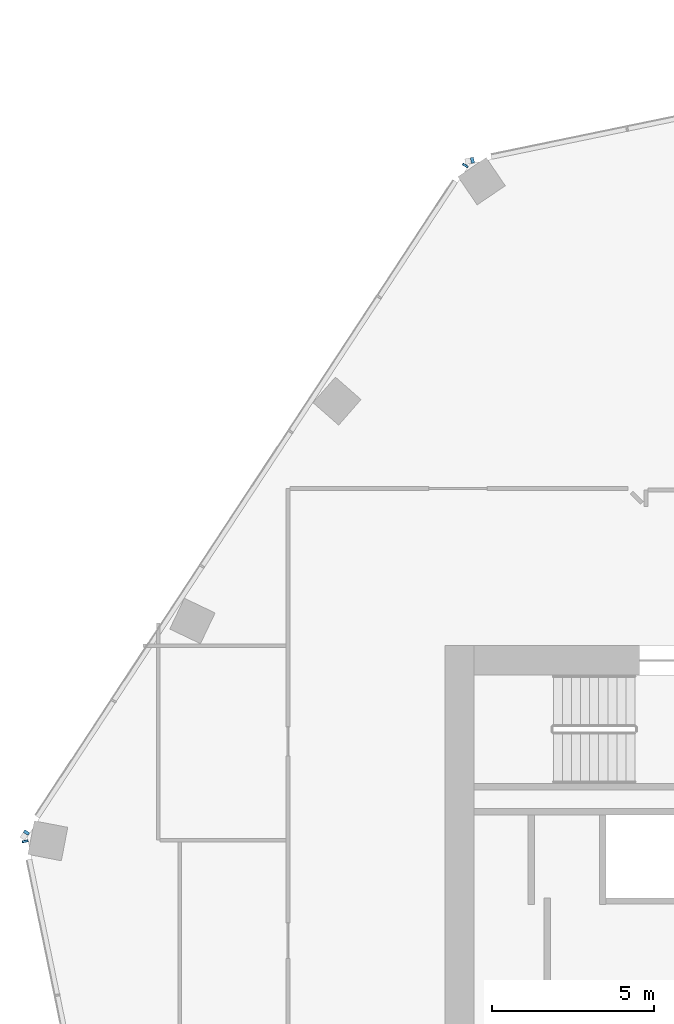
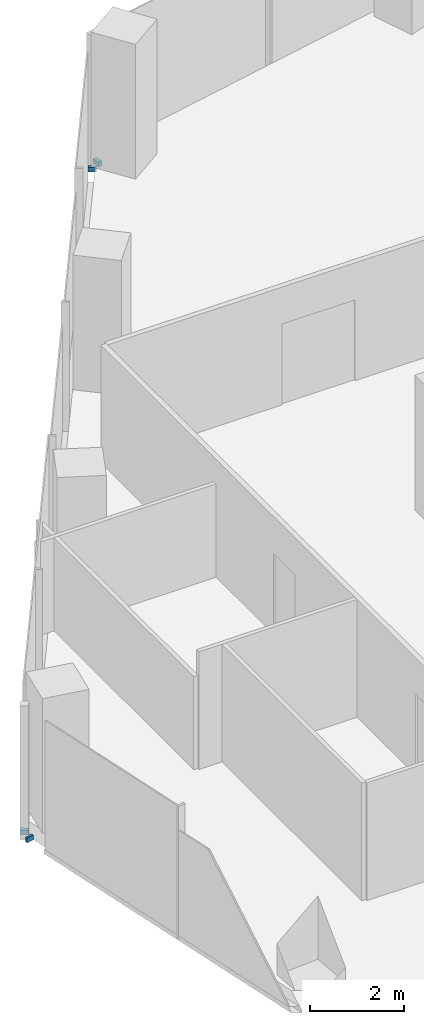
# One storey, part 14 of 24: 4 members, 3 elements without a shape of their own.
"""IFC4 building model written with IfcOpenShell, lengths in metres."""

from ifc_helpers import new_model, si_unit, direction, frame, origin, origin_2d, place, context, subcontext, project, spatial, rectangle, extrude, material, material_profile, profile_set, type_object, element, aggregate, save


model = new_model("IFC4")

# Units and contexts
model_context = context("Model", 3, precision=1e-05, world=origin(), true_north=direction((0.0, 1.0)))
body_context = subcontext(model_context, "Body", "Model", "MODEL_VIEW")
ifc_project = project(units=[si_unit("LENGTHUNIT", "METRE"), si_unit("AREAUNIT", "SQUARE_METRE"), si_unit("VOLUMEUNIT", "CUBIC_METRE"), si_unit("PLANEANGLEUNIT", "RADIAN"), si_unit("MASSUNIT", "GRAM", prefix="KILO")], contexts=[model_context])

# Site, building, storey
site_placement = place(None, origin())
site = spatial("IfcSite", under=ifc_project, at=site_placement, CompositionType="ELEMENT")
building_placement = place(site_placement, origin())
building = spatial("IfcBuilding", under=site, at=building_placement, Name="Orlundy Tower", CompositionType="ELEMENT")
storey_placement = place(building_placement, frame((0.0, 0.0, 246.0)))
storey = spatial("IfcBuildingStorey", under=building, at=storey_placement, Name="L65", CompositionType="ELEMENT", Elevation=246.0)

# Curtain wall, member
ifc_material_1 = material(Name="Aluminium bronze anodised", Category="aluminium")
curtain_wall_type = type_object("IfcCurtainWallType", Name="CW1 wall", PredefinedType="NOTDEFINED", material=ifc_material_1)
curtain_wall_1_placement = place(storey_placement, origin())
curtain_wall_1 = element("IfcCurtainWall", 1, at=curtain_wall_1_placement, inside=storey, type_object=curtain_wall_type, Name="CW1 run 014", PredefinedType="NOTDEFINED")
ifc_material_2 = material(Name="Aluminium bronze anodised", Category="aluminium")
ifc_material_profile = material_profile(ifc_material_2, rectangle(XDim=0.179931640625, YDim=0.1201171875, at=origin_2d()), Name="CW1 transom 180x120")
ifc_profile_set = profile_set([ifc_material_profile], Name="Aluminium bronze anodised")
member_type = type_object("IfcMemberType", Name="CW1 transom 180x120", PredefinedType="USERDEFINED", material=ifc_profile_set)
member_1_placement = place(storey_placement, frame((-31.95068359375, 5.93701171875, -0.340087890625), z_axis=(-0.200746559424, 0.97964320999, 0.0), x_axis=(-0.97964320999, -0.200746559424, 0.0)))
member_1 = element("IfcMember", 2, at=member_1_placement, type_object=member_type, Name="CW1 transom", ObjectType="TRANSOM", PredefinedType="USERDEFINED", context=body_context, shape_type="SweptSolid", body=[
    extrude(rectangle(XDim=0.179931640625, YDim=0.1201171875, at=origin_2d()), origin(), (0.0, 0.0, 1.0), 0.060791015625),
])
aggregate(curtain_wall_1, [member_1])

# Curtain wall, members
curtain_wall_2_placement = place(storey_placement, origin())
curtain_wall_2 = element("IfcCurtainWall", 3, at=curtain_wall_2_placement, inside=storey, type_object=curtain_wall_type, Name="CW1 run 015", PredefinedType="NOTDEFINED")
member_2_placement = place(storey_placement, frame((-31.939208984375, 6.196533203125, -0.340087890625), z_axis=(0.550668630436, 0.834723942063, 0.0), x_axis=(-0.834723942063, 0.550668630436, 0.0)))
member_2 = element("IfcMember", 4, at=member_2_placement, type_object=member_type, Name="CW1 transom", ObjectType="TRANSOM", PredefinedType="USERDEFINED", context=body_context, shape_type="SweptSolid", body=[
    extrude(rectangle(XDim=0.179931640625, YDim=0.1201171875, at=origin_2d()), origin(), (0.0, 0.0, 1.0), 0.097900390625),
])
member_3_placement = place(storey_placement, frame((-18.393798828125, 26.791015625, -0.340087890625), z_axis=(0.550955079868, 0.834534900389, 0.0), x_axis=(-0.834534900389, 0.550955079868, 0.0)))
member_3 = element("IfcMember", 5, at=member_3_placement, type_object=member_type, Name="CW1 transom", ObjectType="TRANSOM", PredefinedType="USERDEFINED", context=body_context, shape_type="SweptSolid", body=[
    extrude(rectangle(XDim=0.179931640625, YDim=0.1201171875, at=origin_2d()), origin(), (0.0, 0.0, 1.0), 0.060302734375),
])
aggregate(curtain_wall_2, [member_2, member_3])

# Curtain wall, member
curtain_wall_3_placement = place(storey_placement, origin())
curtain_wall_3 = element("IfcCurtainWall", 6, at=curtain_wall_3_placement, inside=storey, type_object=curtain_wall_type, Name="CW1 run 016", PredefinedType="NOTDEFINED")
member_4_placement = place(storey_placement, frame((-18.20263671875, 26.9658203125, -0.340087890625), z_axis=(0.979208986995, 0.202854035669, 0.0), x_axis=(-0.202854035669, 0.979208986995, 0.0)))
member_4 = element("IfcMember", 7, at=member_4_placement, type_object=member_type, Name="CW1 transom", ObjectType="TRANSOM", PredefinedType="USERDEFINED", context=body_context, shape_type="SweptSolid", body=[
    extrude(rectangle(XDim=0.179931640625, YDim=0.1201171875, at=origin_2d()), origin(), (0.0, 0.0, 1.0), 0.097412109375),
])
aggregate(curtain_wall_3, [member_4])

save(model, "model.ifc")
